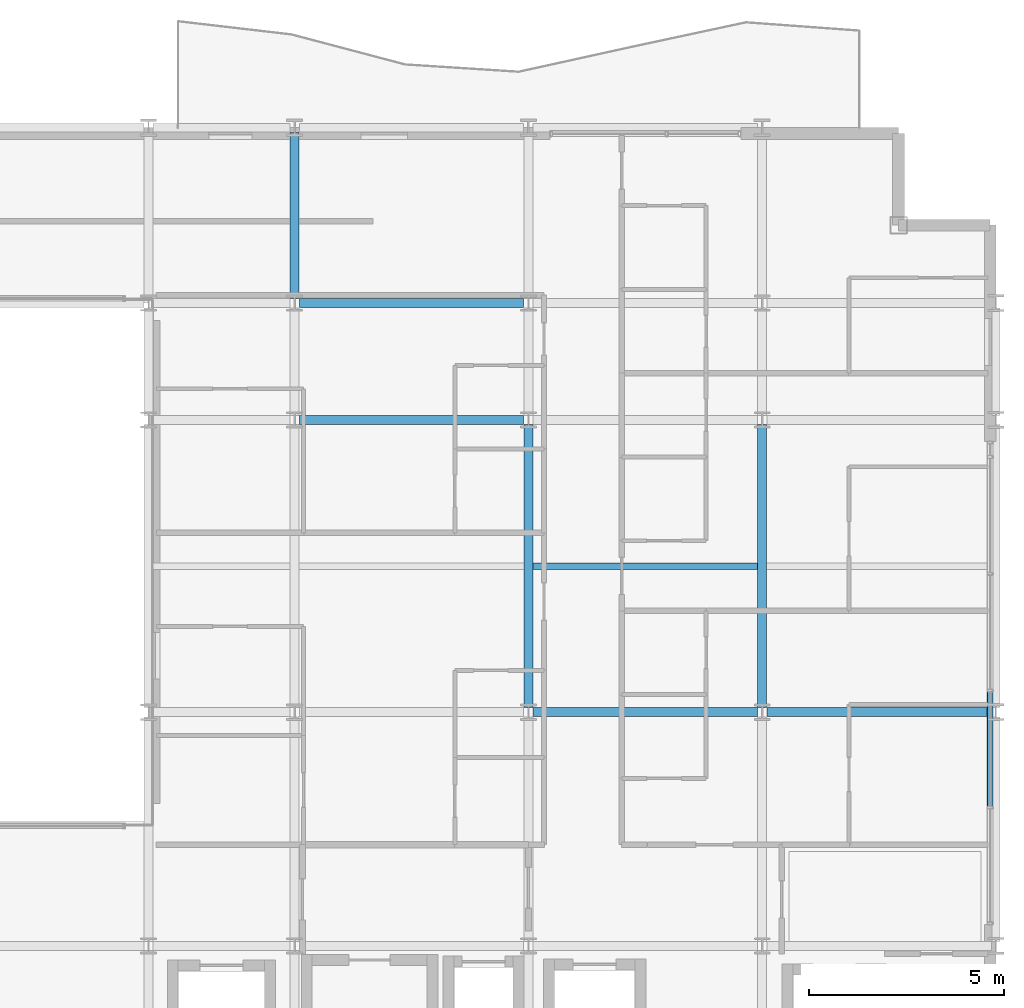
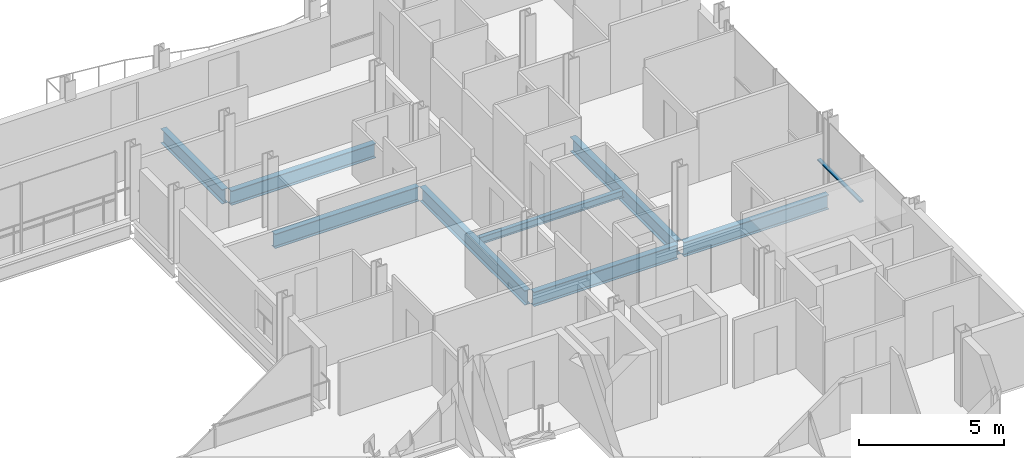
# One storey, part 18 of 40: 8 beams, 1 member, 1 element without a shape of its own.
"""IFC4 building model written with IfcOpenShell, lengths in metres."""

from ifc_helpers import new_model, si_unit, direction, frame, origin, origin_2d, place, context, subcontext, project, spatial, hollow_rectangle, i_section, extrude, material, layer, layer_set, material_profile, profile_set, type_object, element, aggregate, save


model = new_model("IFC4")

# Units and contexts
model_context = context("Model", 3, precision=1e-05, world=origin(), true_north=direction((0.0, 1.0)))
body_context = subcontext(model_context, "Body", "Model", "MODEL_VIEW")
ifc_project = project(units=[si_unit("LENGTHUNIT", "METRE"), si_unit("AREAUNIT", "SQUARE_METRE"), si_unit("VOLUMEUNIT", "CUBIC_METRE"), si_unit("PLANEANGLEUNIT", "RADIAN"), si_unit("MASSUNIT", "GRAM", prefix="KILO")], contexts=[model_context])

# Site, building, storey
site_placement = place(None, origin())
site = spatial("IfcSite", under=ifc_project, at=site_placement, CompositionType="ELEMENT")
building_placement = place(site_placement, origin())
building = spatial("IfcBuilding", under=site, at=building_placement, Name="Brevholm Reach", CompositionType="ELEMENT")
storey_placement = place(building_placement, frame((0.0, 0.0, 125.199951171875)))
storey = spatial("IfcBuildingStorey", under=building, at=storey_placement, Name="L37", CompositionType="ELEMENT", Elevation=125.199951171875)

# Beams
ifc_material_1 = material(Name="Structural Steel S355J2", Category="steel")
ifc_material_profile_1 = material_profile(ifc_material_1, i_section(OverallWidth=0.1650390625, OverallDepth=0.303466796875, WebThickness=0.006103515625, FlangeThickness=0.01025390625, FilletRadius=0.0087890625, at=origin_2d()), Name="UKB 305x165x40")
ifc_profile_set_1 = profile_set([ifc_material_profile_1], Name="Structural Steel S355J2")
beam_type_1 = type_object("IfcBeamType", Name="BM-B305", PredefinedType="BEAM", material=ifc_profile_set_1)
beam_1_placement = place(storey_placement, frame((48.114501953125, 19.75, -0.37158203125), z_axis=(1.0, 0.0, 0.0), x_axis=(0.0, 1.0, 0.0)))
element("IfcBeam", 1, at=beam_1_placement, inside=storey, type_object=beam_type_1, Name="L37 Composite Secondary Floor Beam", PredefinedType="BEAM", context=body_context, shape_type="SweptSolid", body=[
    extrude(i_section(OverallWidth=0.1650390625, OverallDepth=0.303466796875, WebThickness=0.006103515625, FlangeThickness=0.01025390625, FilletRadius=0.0087890625, at=origin_2d()), origin(), (0.0, 0.0, 1.0), 5.77099609375),
])
ifc_material_2 = material(Name="Structural Steel S355J2", Category="steel")
ifc_material_profile_2 = material_profile(ifc_material_2, i_section(OverallWidth=0.22900390625, OverallDepth=0.6123046875, WebThickness=0.011962890625, FlangeThickness=0.01953125, FilletRadius=0.0126953125, at=origin_2d()), Name="UKB 610x229x125")
ifc_profile_set_2 = profile_set([ifc_material_profile_2], Name="Structural Steel S355J2")
beam_type_2 = type_object("IfcBeamType", Name="BM-SP610", PredefinedType="SPANDREL", material=ifc_profile_set_2)
for number, where, z_axis, x_axis, name in (
    (2, (48.1201171875, 16.0, -0.526123046875), (1.0, 0.0, 0.0), (0.0, 1.0, 0.0), "L37 SP-01 Framing Beam"),
    (3, (54.1201171875, 16.0, -0.526123046875), (1.0, 0.0, 0.0), (0.0, 1.0, 0.0), "L37 SP-01 Framing Beam"),
    (4, (42.1201171875, 23.5, -0.526123046875), (1.0, 0.0, 0.0), (0.0, 1.0, 0.0), "L37 SP-01 Framing Beam"),
    (5, (42.1201171875, 26.5, -0.526123046875), (1.0, 0.0, 0.0), (0.0, 1.0, 0.0), "L37 SP-01 Framing Beam"),
):
    element("IfcBeam", number, at=place(storey_placement, frame(where, z_axis=z_axis, x_axis=x_axis)), inside=storey, type_object=beam_type_2, Name=name, PredefinedType="SPANDREL", context=body_context, shape_type="SweptSolid", body=[
        extrude(i_section(OverallWidth=0.22900390625, OverallDepth=0.6123046875, WebThickness=0.011962890625, FlangeThickness=0.01953125, FilletRadius=0.0126953125, at=origin_2d()), origin(), (0.0, 0.0, 1.0), 5.759765625),
    ])
beam_2_placement = place(storey_placement, frame((42.0, 26.6201171875, -0.526123046875), z_axis=(0.0, 1.0, 0.0), x_axis=(-1.0, 0.0, 0.0)))
element("IfcBeam", 6, at=beam_2_placement, inside=storey, type_object=beam_type_2, Name="L37 SP-01 Framing Beam", PredefinedType="SPANDREL", context=body_context, shape_type="SweptSolid", body=[
    extrude(i_section(OverallWidth=0.22900390625, OverallDepth=0.6123046875, WebThickness=0.011962890625, FlangeThickness=0.01953125, FilletRadius=0.0126953125, at=origin_2d()), origin(), (0.0, 0.0, 1.0), 4.259765625),
])
for number, where, z_axis, x_axis, name in (
    (7, (48.0, 16.1201171875, -0.526123046875), (0.0, 1.0, 0.0), (-1.0, 0.0, 0.0), "L37 SP-01 Framing Beam"),
    (8, (54.0, 16.1201171875, -0.526123046875), (0.0, 1.0, 0.0), (-1.0, 0.0, 0.0), "L37 SP-01 Framing Beam"),
):
    element("IfcBeam", number, at=place(storey_placement, frame(where, z_axis=z_axis, x_axis=x_axis)), inside=storey, type_object=beam_type_2, Name=name, PredefinedType="SPANDREL", context=body_context, shape_type="SweptSolid", body=[
        extrude(i_section(OverallWidth=0.22900390625, OverallDepth=0.6123046875, WebThickness=0.011962890625, FlangeThickness=0.01953125, FilletRadius=0.0126953125, at=origin_2d()), origin(), (0.0, 0.0, 1.0), 7.259765625),
    ])

# Curtain wall, member
ifc_material_3 = material(Name="Dark Anodised Aluminium 6063-T6 and Solar-Control Glass", Category="aluminium")
ifc_layer = layer(ifc_material_3, 0.14990234375)
ifc_layer_set = layer_set([ifc_layer], Name="Dark Anodised Aluminium 6063-T6 and Solar-Control Glass")
curtain_wall_type = type_object("IfcCurtainWallType", Name="CW-01", PredefinedType="NOTDEFINED", material=ifc_layer_set)
curtain_wall_placement = place(storey_placement, origin())
curtain_wall = element("IfcCurtainWall", 9, at=curtain_wall_placement, inside=storey, type_object=curtain_wall_type, Name="L37 Curtain Wall CW-01", PredefinedType="NOTDEFINED")
ifc_material_4 = material(Name="Dark Anodised Aluminium 6063-T6", Category="aluminium")
ifc_material_profile_3 = material_profile(ifc_material_4, hollow_rectangle(XDim=0.06494140625, YDim=0.14990234375, WallThickness=0.0048828125, InnerFilletRadius=0.0048828125, OuterFilletRadius=0.010009765625, at=origin_2d()), Name="RHS 150x65x5")
ifc_profile_set_3 = profile_set([ifc_material_profile_3], Name="Dark Anodised Aluminium 6063-T6")
member_type = type_object("IfcMemberType", Name="CWT-150", PredefinedType="NOTDEFINED", material=ifc_profile_set_3)
member_placement = place(storey_placement, frame((59.85009765625, 13.58251953125, 0.900146484375), z_axis=(0.0, 1.0, 0.0), x_axis=(0.0, 0.0, 1.0)))
member = element("IfcMember", 10, at=member_placement, type_object=member_type, Name="CT-150 Transom 2.1", ObjectType="TRANSOM", PredefinedType="USERDEFINED", context=body_context, shape_type="SweptSolid", body=[
    extrude(hollow_rectangle(XDim=0.06494140625, YDim=0.14990234375, WallThickness=0.0048828125, InnerFilletRadius=0.0048828125, OuterFilletRadius=0.010009765625, at=origin_2d()), origin(), (0.0, 0.0, 1.0), 2.93505859375),
])
aggregate(curtain_wall, [member])

save(model, "model.ifc")
